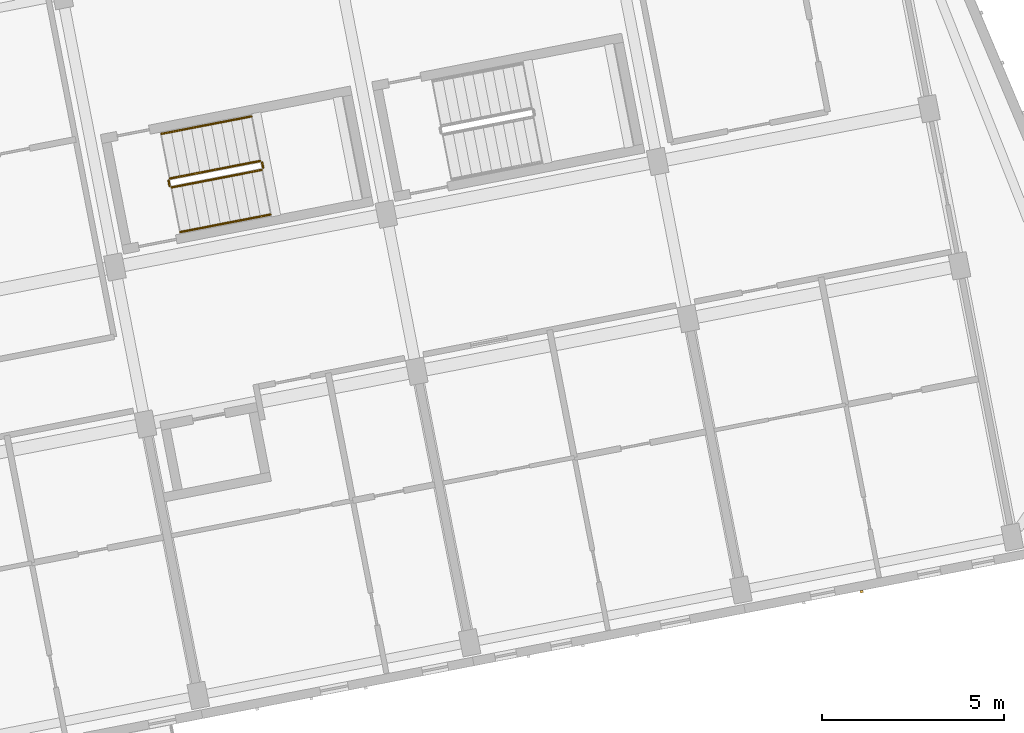
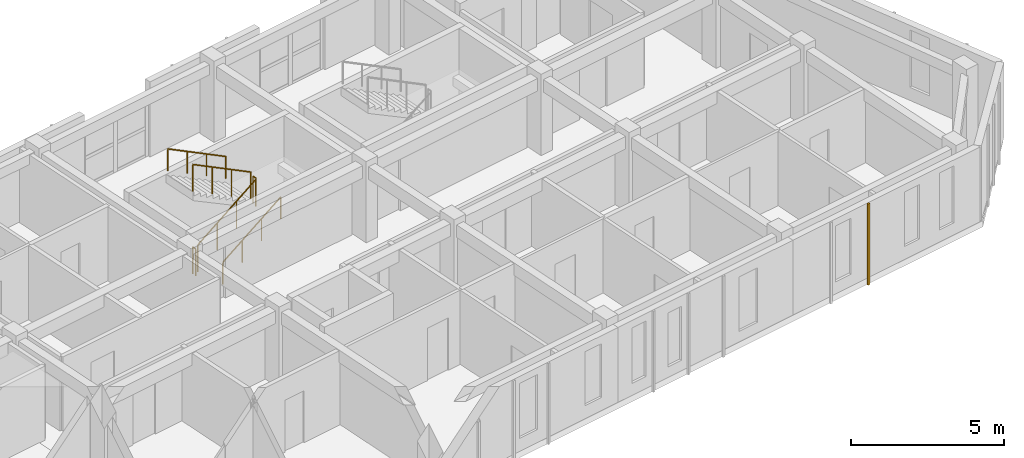
# One storey, part 119 of 127: 6 railings, 1 covering.
"""IFC4 building model written with IfcOpenShell, lengths in metres."""

from ifc_helpers import new_model, si_unit, direction, frame, origin, origin_2d, place, context, subcontext, project, spatial, rectangle, circle, extrude, material, layer, layer_set, type_object, element, save


model = new_model("IFC4")

# Units and contexts
model_context = context("Model", 3, precision=1e-05, world=origin(), true_north=direction((0.0, 1.0)))
body_context = subcontext(model_context, "Body", "Model", "MODEL_VIEW")
ifc_project = project(units=[si_unit("LENGTHUNIT", "METRE"), si_unit("AREAUNIT", "SQUARE_METRE"), si_unit("VOLUMEUNIT", "CUBIC_METRE"), si_unit("PLANEANGLEUNIT", "RADIAN"), si_unit("MASSUNIT", "GRAM", prefix="KILO")], contexts=[model_context])

# Site, building, storey
site_placement = place(None, origin())
site = spatial("IfcSite", under=ifc_project, at=site_placement, CompositionType="ELEMENT")
building_placement = place(site_placement, origin())
building = spatial("IfcBuilding", under=site, at=building_placement, Name="Kestramere Prow Commons", CompositionType="ELEMENT")
storey_placement = place(building_placement, frame((0.0, 0.0, 8.39990234375)))
storey = spatial("IfcBuildingStorey", under=building, at=storey_placement, Name="L02", CompositionType="ELEMENT", Elevation=8.39990234375)

# Covering
ifc_material_1 = material(Name="Weathered Zinc-Titanium Standing-Seam Cladding")
ifc_layer = layer(ifc_material_1, 0.074951171875)
ifc_layer_set = layer_set([ifc_layer], Name="Weathered Zinc-Titanium Standing-Seam Cladding")
covering_type = type_object("IfcCoveringType", Name="COV-CLAD-SEAM", PredefinedType="CLADDING", material=ifc_layer_set)
covering_placement = place(storey_placement, frame((159.021484375, 41.205810546875, -0.25), z_axis=(0.0, 0.0, 1.0), x_axis=(-0.981627183448, -0.190808995377, 0.0)))
element("IfcCovering", 1, at=covering_placement, inside=storey, type_object=covering_type, Name="EW-D-L02-S-5 Standing-Seam Rib 3", PredefinedType="CLADDING", context=body_context, shape_type="SweptSolid", body=[
    extrude(rectangle(XDim=0.0849609375, YDim=0.06494140625, at=origin_2d()), origin(), (0.0, 0.0, 1.0), 3.25),
])

# Railings
ifc_material_2 = material(Name="Galvanised Steel S275JR", Category="steel")
railing_type_1 = type_object("IfcRailingType", Name="RL-ST-GR-1100", PredefinedType="GUARDRAIL", material=ifc_material_2)
railing_1_placement = place(storey_placement, frame((140.052490234375, 52.318115234375, 0.16259765625)))
element("IfcRailing", 2, at=railing_1_placement, inside=storey, type_object=railing_type_1, Name="L02 ST-D1 stair guard 1", PredefinedType="GUARDRAIL", context=body_context, shape_type="SweptSolid", body=[
    extrude(circle(Radius=0.02392578125, at=origin_2d()), frame((0.0, 0.0, 1.076171875), z_axis=(0.849043739131, 0.164982445707, 0.501901904411), x_axis=(-0.190747789018, 0.981639078778, 0.0)), (0.0, 0.0, 1.0), 2.913818359375),
    extrude(circle(Radius=0.02099609375, at=origin_2d()), origin(), (0.0, 0.0, 1.0), 1.052001953125),
    extrude(circle(Radius=0.02099609375, at=origin_2d()), frame((0.82470703125, 0.16015625, 0.487548828125)), (0.0, 0.0, 1.0), 1.052001953125),
    extrude(circle(Radius=0.02099609375, at=origin_2d()), frame((1.649169921875, 0.320556640625, 0.974853515625)), (0.0, 0.0, 1.0), 1.052001953125),
    extrude(circle(Radius=0.02099609375, at=origin_2d()), frame((2.473876953125, 0.480712890625, 1.46240234375)), (0.0, 0.0, 1.0), 1.052001953125),
])
railing_2_placement = place(storey_placement, frame((142.56591796875, 52.857421875, 1.625)))
element("IfcRailing", 3, at=railing_2_placement, inside=storey, type_object=railing_type_1, Name="L02 ST-D1 stair guard 2", PredefinedType="GUARDRAIL", context=body_context, shape_type="SweptSolid", body=[
    extrude(circle(Radius=0.02392578125, at=origin_2d()), frame((0.0, 0.0, 1.076171875), z_axis=(-0.191739424664, 0.981445868619, 0.0), x_axis=(-0.981445868619, -0.191739424664, 0.0)), (0.0, 0.0, 1.0), 0.150146484375),
    extrude(circle(Radius=0.02099609375, at=origin_2d()), origin(), (0.0, 0.0, 1.0), 1.052001953125),
    extrude(circle(Radius=0.02099609375, at=origin_2d()), frame((-0.02880859375, 0.1474609375, 0.0)), (0.0, 0.0, 1.0), 1.052001953125),
])
railing_3_placement = place(storey_placement, frame((142.478515625, 53.044189453125, 1.78759765625)))
element("IfcRailing", 4, at=railing_3_placement, inside=storey, type_object=railing_type_1, Name="L02 ST-D1 stair guard 3", PredefinedType="GUARDRAIL", context=body_context, shape_type="SweptSolid", body=[
    extrude(circle(Radius=0.02392578125, at=origin_2d()), frame((0.0, 0.0, 1.076171875), z_axis=(-0.849020348783, -0.164994183454, 0.501937612437), x_axis=(0.190765930203, -0.981635553489, 0.0)), (0.0, 0.0, 1.0), 2.91357421875),
    extrude(circle(Radius=0.02099609375, at=origin_2d()), origin(), (0.0, 0.0, 1.0), 1.052001953125),
    extrude(circle(Radius=0.02099609375, at=origin_2d()), frame((-0.824462890625, -0.16015625, 0.487548828125)), (0.0, 0.0, 1.0), 1.052001953125),
    extrude(circle(Radius=0.02099609375, at=origin_2d()), frame((-1.649169921875, -0.320556640625, 0.974853515625)), (0.0, 0.0, 1.0), 1.052001953125),
    extrude(circle(Radius=0.02099609375, at=origin_2d()), frame((-2.4736328125, -0.480712890625, 1.46240234375)), (0.0, 0.0, 1.0), 1.052001953125),
])
railing_4_placement = place(storey_placement, frame((139.993896484375, 52.357666015625, 0.0)))
element("IfcRailing", 5, at=railing_4_placement, inside=storey, type_object=railing_type_1, Name="L02 ST-D1 stair guard 4", PredefinedType="GUARDRAIL", context=body_context, shape_type="SweptSolid", body=[
    extrude(circle(Radius=0.02392578125, at=origin_2d()), frame((0.0, 0.0, 1.076171875), z_axis=(-0.190477468355, 0.981691567677, 0.0), x_axis=(-0.981691567677, -0.190477468355, 0.0)), (0.0, 0.0, 1.0), 0.14990234375),
    extrude(circle(Radius=0.02099609375, at=origin_2d()), origin(), (0.0, 0.0, 1.0), 1.052001953125),
    extrude(circle(Radius=0.02099609375, at=origin_2d()), frame((-0.028564453125, 0.147216796875, 0.0)), (0.0, 0.0, 1.0), 1.052001953125),
])
ifc_material_3 = material(Name="Stainless Steel 304", Category="steel")
railing_type_2 = type_object("IfcRailingType", Name="RL-ST-HR-900", PredefinedType="HANDRAIL", material=ifc_material_3)
railing_5_placement = place(storey_placement, frame((140.291015625, 51.091064453125, 0.3251953125)))
element("IfcRailing", 6, at=railing_5_placement, inside=storey, type_object=railing_type_2, Name="L02 ST-D1 stair handrail 1", PredefinedType="HANDRAIL", context=body_context, shape_type="SweptSolid", body=[
    extrude(circle(Radius=0.02392578125, at=origin_2d()), frame((0.0, 0.0, 0.8759765625), z_axis=(0.849043739131, 0.164982445707, 0.501901904411), x_axis=(-0.190747789018, 0.981639078778, 0.0)), (0.0, 0.0, 1.0), 2.913818359375),
    extrude(circle(Radius=0.02099609375, at=origin_2d()), origin(), (0.0, 0.0, 1.0), 0.851806640625),
    extrude(circle(Radius=0.02099609375, at=origin_2d()), frame((0.82470703125, 0.16015625, 0.487548828125)), (0.0, 0.0, 1.0), 0.851806640625),
    extrude(circle(Radius=0.02099609375, at=origin_2d()), frame((1.649169921875, 0.320556640625, 0.974853515625)), (0.0, 0.0, 1.0), 0.851806640625),
    extrude(circle(Radius=0.02099609375, at=origin_2d()), frame((2.473876953125, 0.480712890625, 1.46240234375)), (0.0, 0.0, 1.0), 0.851806640625),
])
railing_6_placement = place(storey_placement, frame((142.239990234375, 54.271240234375, 1.9501953125)))
element("IfcRailing", 7, at=railing_6_placement, inside=storey, type_object=railing_type_2, Name="L02 ST-D1 stair handrail 2", PredefinedType="HANDRAIL", context=body_context, shape_type="SweptSolid", body=[
    extrude(circle(Radius=0.02392578125, at=origin_2d()), frame((0.0, 0.0, 0.8759765625), z_axis=(-0.849020348783, -0.164994183454, 0.501937612437), x_axis=(0.190765930203, -0.981635553489, 0.0)), (0.0, 0.0, 1.0), 2.91357421875),
    extrude(circle(Radius=0.02099609375, at=origin_2d()), origin(), (0.0, 0.0, 1.0), 0.851806640625),
    extrude(circle(Radius=0.02099609375, at=origin_2d()), frame((-0.824462890625, -0.16015625, 0.487548828125)), (0.0, 0.0, 1.0), 0.851806640625),
    extrude(circle(Radius=0.02099609375, at=origin_2d()), frame((-1.649169921875, -0.320556640625, 0.974853515625)), (0.0, 0.0, 1.0), 0.851806640625),
    extrude(circle(Radius=0.02099609375, at=origin_2d()), frame((-2.4736328125, -0.480712890625, 1.46240234375)), (0.0, 0.0, 1.0), 0.851806640625),
])

save(model, "model.ifc")
